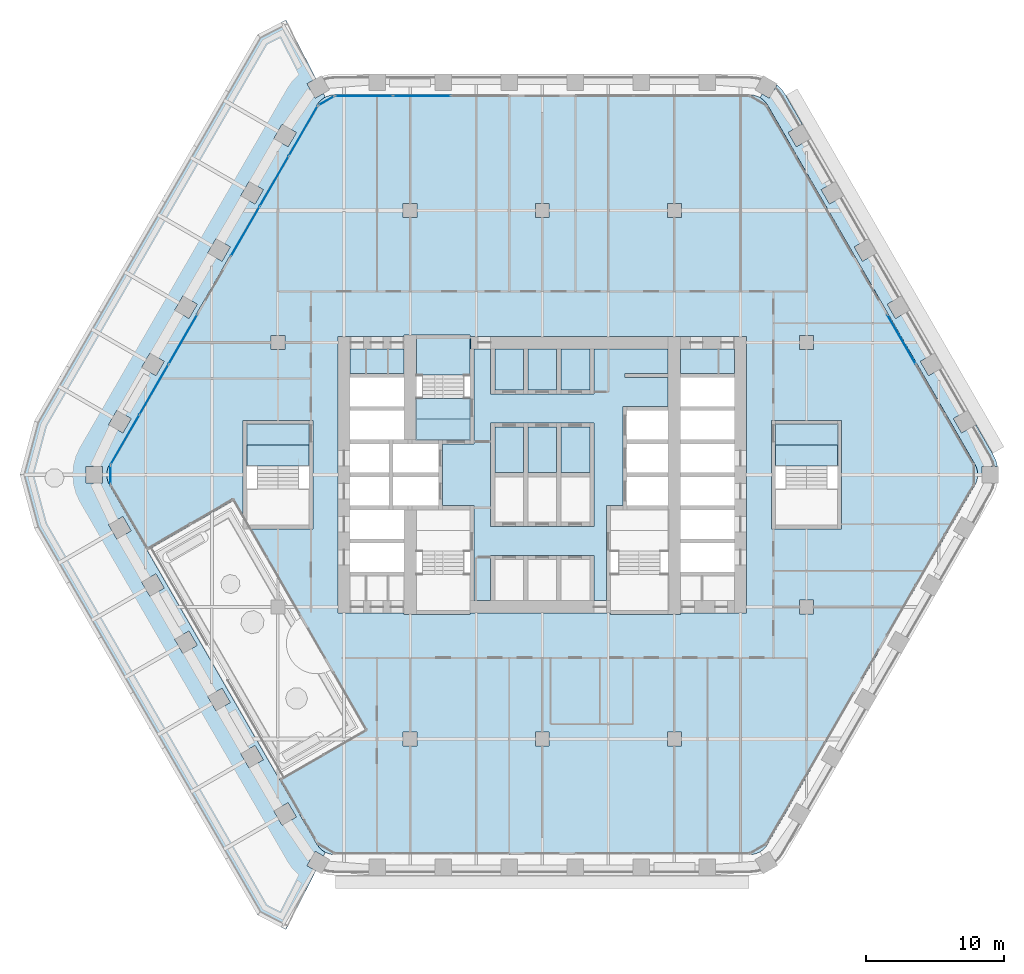
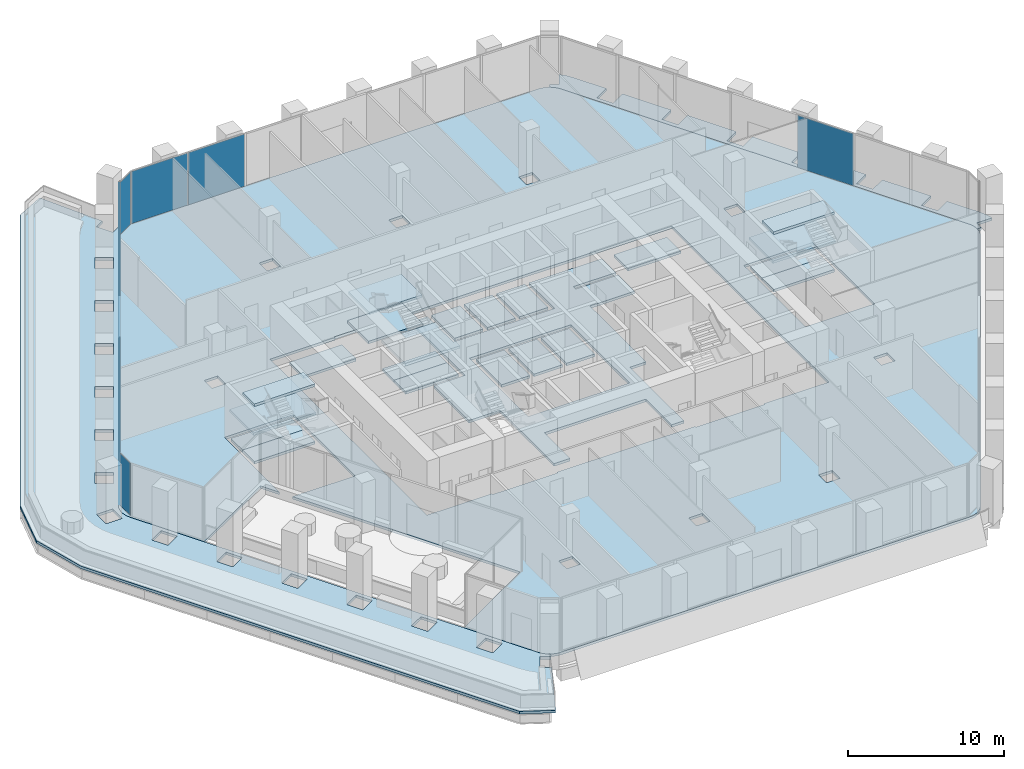
# One storey, part 13 of 27: 25 slabs, 11 plates, 9 elements without a shape of their own.
"""IFC4 building model written with IfcOpenShell, lengths in metres."""

from ifc_helpers import new_model, si_unit, direction, frame, origin, origin_2d, place, context, subcontext, project, spatial, polyline, rectangle, outline, extrude, material, layer, layer_set, type_object, element, aggregate, save


model = new_model("IFC4")

# Units and contexts
model_context = context("Model", 3, precision=1e-05, world=origin(), true_north=direction((0.0, 1.0)))
body_context = subcontext(model_context, "Body", "Model", "MODEL_VIEW")
ifc_project = project(units=[si_unit("LENGTHUNIT", "METRE"), si_unit("AREAUNIT", "SQUARE_METRE"), si_unit("VOLUMEUNIT", "CUBIC_METRE"), si_unit("PLANEANGLEUNIT", "RADIAN"), si_unit("MASSUNIT", "GRAM", prefix="KILO")], contexts=[model_context])

# Site, building, storey
site_placement = place(None, origin())
site = spatial("IfcSite", under=ifc_project, at=site_placement, CompositionType="ELEMENT")
building_placement = place(site_placement, origin())
building = spatial("IfcBuilding", under=site, at=building_placement, Name="Kolab Exchange Tower", CompositionType="ELEMENT")
storey_placement = place(building_placement, frame((0.0, 0.0, 122.89990234375)))
storey = spatial("IfcBuildingStorey", under=building, at=storey_placement, Name="L24", CompositionType="ELEMENT", Elevation=122.89990234375)

# Slabs
ifc_material_1 = material(Name="Concrete C35/45", Category="concrete")
ifc_layer_1 = layer(ifc_material_1, 0.199951171875)
ifc_layer_set_1 = layer_set([ifc_layer_1], Name="Concrete C35/45")
slab_type_1 = type_object("IfcSlabType", Name="FLOOR SLAB 200", PredefinedType="FLOOR", material=ifc_layer_set_1)
slab_1_placement = place(storey_placement, frame((0.0, 0.0, -0.199951171875)))
element("IfcSlab", 1, at=slab_1_placement, inside=storey, type_object=slab_type_1, Name="slab/L24/floor/0", PredefinedType="FLOOR", context=body_context, shape_type="SweptSolid", body=[
    extrude(outline(polyline([(-22.465576171875, -1.885498046875), (-21.75, -3.124755859375), (-21.75, 3.949951171875), (-21.449951171875, 3.949951171875), (-16.949951171875, 3.949951171875), (-16.64990234375, 3.949951171875), (-16.64990234375, -3.949951171875), (-16.949951171875, -3.949951171875), (-21.273681640625, -3.949951171875), (-12.865478515625, -18.51318359375), (-19.10107421875, -22.113037109375), (-16.366943359375, -26.848388671875), (-16.217041015625, -27.062744140625), (-16.0322265625, -27.24755859375), (-15.81787109375, -27.3974609375), (-15.5810546875, -27.508056640625), (-15.328369140625, -27.57568359375), (-15.06787109375, -27.598388671875), (15.06787109375, -27.598388671875), (15.328369140625, -27.57568359375), (15.5810546875, -27.508056640625), (15.81787109375, -27.3974609375), (16.0322265625, -27.24755859375), (16.217041015625, -27.062744140625), (16.366943359375, -26.848388671875), (31.434814453125, -0.75), (31.54541015625, -0.512939453125), (31.613037109375, -0.260498046875), (31.635986328125, 0.0), (31.613037109375, 0.260498046875), (31.54541015625, 0.512939453125), (31.434814453125, 0.75), (16.366943359375, 26.848388671875), (16.217041015625, 27.062744140625), (16.0322265625, 27.24755859375), (15.81787109375, 27.3974609375), (15.5810546875, 27.508056640625), (15.328369140625, 27.57568359375), (15.06787109375, 27.598388671875), (-15.06787109375, 27.598388671875), (-15.328369140625, 27.57568359375), (-15.5810546875, 27.508056640625), (-15.81787109375, 27.3974609375), (-16.0322265625, 27.24755859375), (-16.217041015625, 27.062744140625), (-16.366943359375, 26.848388671875), (-31.434814453125, 0.75), (-31.54541015625, 0.512939453125), (-31.613037109375, 0.260498046875), (-31.635986328125, 0.0), (-31.613037109375, -0.260498046875), (-31.54541015625, -0.512939453125), (-31.434814453125, -0.75), (-28.700927734375, -5.4853515625), (-22.465576171875, -1.885498046875)]), holes=[polyline([(-13.949951171875, -10.050048828125), (-14.85009765625, -10.050048828125), (-14.85009765625, 10.050048828125), (-13.949951171875, 10.050048828125), (-10.050048828125, 10.050048828125), (-10.050048828125, 10.14990234375), (-9.14990234375, 10.14990234375), (-5.25, 10.14990234375), (-5.25, 10.050048828125), (9.14990234375, 10.050048828125), (10.050048828125, 10.050048828125), (13.949951171875, 10.050048828125), (14.85009765625, 10.050048828125), (14.85009765625, -10.050048828125), (13.949951171875, -10.050048828125), (10.050048828125, -10.050048828125), (10.050048828125, -10.14990234375), (9.14990234375, -10.14990234375), (4.949951171875, -10.14990234375), (4.949951171875, -10.050048828125), (-5.25, -10.050048828125), (-5.25, -10.14990234375), (-9.14990234375, -10.14990234375), (-10.050048828125, -10.14990234375), (-10.050048828125, -10.050048828125), (-13.949951171875, -10.050048828125)]), polyline([(-18.699951171875, 10.10009765625), (-18.699951171875, 9.10009765625), (-19.699951171875, 9.10009765625), (-19.699951171875, 10.10009765625), (-18.699951171875, 10.10009765625)]), polyline([(-9.10009765625, -18.699951171875), (-9.10009765625, -19.699951171875), (-10.10009765625, -19.699951171875), (-10.10009765625, -18.699951171875), (-9.10009765625, -18.699951171875)]), polyline([(-9.10009765625, 19.699951171875), (-9.10009765625, 18.699951171875), (-10.10009765625, 18.699951171875), (-10.10009765625, 19.699951171875), (-9.10009765625, 19.699951171875)]), polyline([(9.10009765625, -18.699951171875), (10.10009765625, -18.699951171875), (10.10009765625, -19.699951171875), (9.10009765625, -19.699951171875), (9.10009765625, -18.699951171875)]), polyline([(-0.5, -18.699951171875), (0.5, -18.699951171875), (0.5, -19.699951171875), (-0.5, -19.699951171875), (-0.5, -18.699951171875)]), polyline([(0.5, 19.699951171875), (0.5, 18.699951171875), (-0.5, 18.699951171875), (-0.5, 19.699951171875), (0.5, 19.699951171875)]), polyline([(10.10009765625, 19.699951171875), (10.10009765625, 18.699951171875), (9.10009765625, 18.699951171875), (9.10009765625, 19.699951171875), (10.10009765625, 19.699951171875)]), polyline([(19.699951171875, -9.10009765625), (19.699951171875, -10.10009765625), (18.699951171875, -10.10009765625), (18.699951171875, -9.10009765625), (19.699951171875, -9.10009765625)]), polyline([(21.449951171875, 3.949951171875), (21.75, 3.949951171875), (21.75, -3.949951171875), (21.449951171875, -3.949951171875), (16.949951171875, -3.949951171875), (16.64990234375, -3.949951171875), (16.64990234375, 3.949951171875), (16.949951171875, 3.949951171875), (21.449951171875, 3.949951171875)]), polyline([(19.699951171875, 10.10009765625), (19.699951171875, 9.10009765625), (18.699951171875, 9.10009765625), (18.699951171875, 10.10009765625), (19.699951171875, 10.10009765625)])]), origin(), (0.0, 0.0, 1.0), 0.199951171875),
])
slab_2_placement = place(storey_placement, frame((0.0, 0.0, -0.199951171875)))
element("IfcSlab", 2, at=slab_2_placement, inside=storey, type_object=slab_type_1, Name="slab/L24/floor/1", PredefinedType="FLOOR", context=body_context, shape_type="SweptSolid", body=[
    extrude(outline(polyline([(-4.949951171875, 9.14990234375), (-4.949951171875, 2.25), (-5.25, 2.25), (-7.25, 2.25), (-7.25, -2.25), (-5.25, -2.25), (-4.949951171875, -2.25), (-4.949951171875, -9.14990234375), (-3.75, -9.14990234375), (-3.75, -5.85009765625), (-3.449951171875, -5.85009765625), (-1.35009765625, -5.85009765625), (-1.050048828125, -5.85009765625), (1.050048828125, -5.85009765625), (1.35009765625, -5.85009765625), (3.449951171875, -5.85009765625), (3.75, -5.85009765625), (3.75, -9.14990234375), (4.64990234375, -9.14990234375), (4.64990234375, -2.25), (4.949951171875, -2.25), (5.85009765625, -2.25), (5.85009765625, 4.949951171875), (6.14990234375, 4.949951171875), (9.14990234375, 4.949951171875), (9.14990234375, 7.050048828125), (6.0, 7.050048828125), (6.0, 7.35009765625), (9.14990234375, 7.35009765625), (9.14990234375, 9.14990234375), (3.75, 9.14990234375), (3.75, 5.85009765625), (3.449951171875, 5.85009765625), (1.35009765625, 5.85009765625), (1.050048828125, 5.85009765625), (-1.050048828125, 5.85009765625), (-1.35009765625, 5.85009765625), (-3.449951171875, 5.85009765625), (-3.75, 5.85009765625), (-3.75, 9.14990234375), (-4.949951171875, 9.14990234375)]), holes=[polyline([(-3.75, -3.75), (-3.75, 3.75), (-3.449951171875, 3.75), (-1.35009765625, 3.75), (-1.050048828125, 3.75), (1.050048828125, 3.75), (1.35009765625, 3.75), (3.449951171875, 3.75), (3.75, 3.75), (3.75, -3.75), (3.449951171875, -3.75), (1.35009765625, -3.75), (1.050048828125, -3.75), (-1.050048828125, -3.75), (-1.35009765625, -3.75), (-3.449951171875, -3.75), (-3.75, -3.75)])]), origin(), (0.0, 0.0, 1.0), 0.199951171875),
])
slab_3_placement = place(storey_placement, frame((0.0, 0.0, -0.199951171875)))
element("IfcSlab", 3, at=slab_3_placement, inside=storey, type_object=slab_type_1, Name="slab/L24/floor/3", PredefinedType="FLOOR", context=body_context, shape_type="SweptSolid", body=[
    extrude(outline(polyline([(-10.050048828125, 9.14990234375), (-13.949951171875, 9.14990234375), (-13.949951171875, 7.35009765625), (-10.050048828125, 7.35009765625), (-10.050048828125, 9.14990234375)])), origin(), (0.0, 0.0, 1.0), 0.199951171875),
])
slab_4_placement = place(storey_placement, frame((0.0, 0.0, -0.199951171875)))
element("IfcSlab", 4, at=slab_4_placement, inside=storey, type_object=slab_type_1, Name="slab/L24/floor/5", PredefinedType="FLOOR", context=body_context, shape_type="SweptSolid", body=[
    extrude(outline(polyline([(13.949951171875, 9.14990234375), (10.050048828125, 9.14990234375), (10.050048828125, 7.35009765625), (13.949951171875, 7.35009765625), (13.949951171875, 9.14990234375)])), origin(), (0.0, 0.0, 1.0), 0.199951171875),
])
slab_5_placement = place(storey_placement, frame((0.0, 0.0, -0.199951171875)))
element("IfcSlab", 5, at=slab_5_placement, inside=storey, type_object=slab_type_1, Name="slab/L24/floor/7", PredefinedType="FLOOR", context=body_context, shape_type="SweptSolid", body=[
    extrude(outline(polyline([(-1.35009765625, 0.14990234375), (-1.35009765625, 3.449951171875), (-3.449951171875, 3.449951171875), (-3.449951171875, 0.14990234375), (-1.35009765625, 0.14990234375)])), origin(), (0.0, 0.0, 1.0), 0.199951171875),
])
slab_6_placement = place(storey_placement, frame((0.0, 0.0, -0.199951171875)))
element("IfcSlab", 6, at=slab_6_placement, inside=storey, type_object=slab_type_1, Name="slab/L24/floor/9", PredefinedType="FLOOR", context=body_context, shape_type="SweptSolid", body=[
    extrude(outline(polyline([(-1.050048828125, 3.449951171875), (-1.050048828125, 0.14990234375), (1.050048828125, 0.14990234375), (1.050048828125, 3.449951171875), (-1.050048828125, 3.449951171875)])), origin(), (0.0, 0.0, 1.0), 0.199951171875),
])
slab_7_placement = place(storey_placement, frame((0.0, 0.0, -0.199951171875)))
element("IfcSlab", 7, at=slab_7_placement, inside=storey, type_object=slab_type_1, Name="slab/L24/floor/11", PredefinedType="FLOOR", context=body_context, shape_type="SweptSolid", body=[
    extrude(outline(polyline([(1.35009765625, 0.14990234375), (3.449951171875, 0.14990234375), (3.449951171875, 3.449951171875), (1.35009765625, 3.449951171875), (1.35009765625, 0.14990234375)])), origin(), (0.0, 0.0, 1.0), 0.199951171875),
])
slab_8_placement = place(storey_placement, frame((0.0, 0.0, -0.199951171875)))
element("IfcSlab", 8, at=slab_8_placement, inside=storey, type_object=slab_type_1, Name="slab/L24/floor/12", PredefinedType="FLOOR", context=body_context, shape_type="SweptSolid", body=[
    extrude(outline(polyline([(-21.449951171875, 3.64990234375), (-21.449951171875, 2.14990234375), (-16.949951171875, 2.14990234375), (-16.949951171875, 3.64990234375), (-21.449951171875, 3.64990234375)])), origin(), (0.0, 0.0, 1.0), 0.199951171875),
])
slab_9_placement = place(storey_placement, frame((0.0, 0.0, -0.199951171875)))
element("IfcSlab", 9, at=slab_9_placement, inside=storey, type_object=slab_type_1, Name="slab/L24/floor/13", PredefinedType="FLOOR", context=body_context, shape_type="SweptSolid", body=[
    extrude(outline(polyline([(21.449951171875, 3.64990234375), (16.949951171875, 3.64990234375), (16.949951171875, 2.14990234375), (21.449951171875, 2.14990234375), (21.449951171875, 3.64990234375)])), origin(), (0.0, 0.0, 1.0), 0.199951171875),
])
slab_10_placement = place(storey_placement, frame((0.0, 0.0, -0.199951171875)))
element("IfcSlab", 10, at=slab_10_placement, inside=storey, type_object=slab_type_1, Name="slab/L24/floor/15", PredefinedType="FLOOR", context=body_context, shape_type="SweptSolid", body=[
    extrude(outline(polyline([(-1.35009765625, 6.14990234375), (-1.35009765625, 9.14990234375), (-3.449951171875, 9.14990234375), (-3.449951171875, 6.14990234375), (-1.35009765625, 6.14990234375)])), origin(), (0.0, 0.0, 1.0), 0.199951171875),
])
slab_11_placement = place(storey_placement, frame((0.0, 0.0, -0.199951171875)))
element("IfcSlab", 11, at=slab_11_placement, inside=storey, type_object=slab_type_1, Name="slab/L24/floor/17", PredefinedType="FLOOR", context=body_context, shape_type="SweptSolid", body=[
    extrude(outline(polyline([(-1.050048828125, 9.14990234375), (-1.050048828125, 6.14990234375), (1.050048828125, 6.14990234375), (1.050048828125, 9.14990234375), (-1.050048828125, 9.14990234375)])), origin(), (0.0, 0.0, 1.0), 0.199951171875),
])
slab_12_placement = place(storey_placement, frame((0.0, 0.0, -0.199951171875)))
element("IfcSlab", 12, at=slab_12_placement, inside=storey, type_object=slab_type_1, Name="slab/L24/floor/19", PredefinedType="FLOOR", context=body_context, shape_type="SweptSolid", body=[
    extrude(outline(polyline([(1.35009765625, 6.14990234375), (3.449951171875, 6.14990234375), (3.449951171875, 9.14990234375), (1.35009765625, 9.14990234375), (1.35009765625, 6.14990234375)])), origin(), (0.0, 0.0, 1.0), 0.199951171875),
])
slab_13_placement = place(storey_placement, frame((0.0, 0.0, -0.199951171875)))
element("IfcSlab", 13, at=slab_13_placement, inside=storey, type_object=slab_type_1, Name="slab/L24/floor/22", PredefinedType="FLOOR", context=body_context, shape_type="SweptSolid", body=[
    extrude(outline(polyline([(-5.25, 4.050048828125), (-9.14990234375, 4.050048828125), (-9.14990234375, 2.550048828125), (-7.550048828125, 2.550048828125), (-7.25, 2.550048828125), (-5.25, 2.550048828125), (-5.25, 4.050048828125)])), origin(), (0.0, 0.0, 1.0), 0.199951171875),
])
ifc_layer_2 = layer(ifc_material_1, 0.199951171875)
ifc_layer_set_2 = layer_set([ifc_layer_2], Name="Concrete C35/45")
slab_type_2 = type_object("IfcSlabType", Name="LOGGIA SLAB 200", PredefinedType="FLOOR", material=ifc_layer_set_2)
slab_14_placement = place(storey_placement, frame((0.0, 0.0, -0.199951171875)))
element("IfcSlab", 14, at=slab_14_placement, inside=storey, type_object=slab_type_2, Name="slab/L24/loggia/1-0", PredefinedType="FLOOR", context=body_context, shape_type="SweptSolid", body=[
    extrude(outline(polyline([(31.613037109375, 0.260498046875), (31.635986328125, 0.0), (31.935791015625, 0.0), (31.935791015625, 0.60009765625), (33.069091796875, 0.60009765625), (32.955078125, 1.026123046875), (32.73388671875, 1.5), (31.5, 3.63720703125), (30.460693359375, 3.037353515625), (29.86083984375, 4.076416015625), (30.89990234375, 4.676513671875), (29.10009765625, 7.794189453125), (28.060791015625, 7.1943359375), (27.460693359375, 8.2333984375), (28.5, 8.83349609375), (26.699951171875, 11.951171875), (25.660888671875, 11.35107421875), (25.060791015625, 12.390380859375), (26.10009765625, 12.990478515625), (24.300048828125, 16.108154296875), (23.2607421875, 15.508056640625), (22.660888671875, 16.54736328125), (23.699951171875, 17.147216796875), (21.89990234375, 20.264892578125), (20.86083984375, 19.6650390625), (20.2607421875, 20.704345703125), (21.300048828125, 21.30419921875), (19.5, 24.421875), (18.460693359375, 23.822021484375), (17.86083984375, 24.861083984375), (18.89990234375, 25.461181640625), (17.666015625, 27.598388671875), (17.365966796875, 28.02685546875), (17.05419921875, 28.338623046875), (16.487548828125, 27.357177734375), (15.968017578125, 27.6572265625), (15.81787109375, 27.3974609375), (16.0322265625, 27.24755859375), (16.217041015625, 27.062744140625), (16.366943359375, 26.848388671875), (31.434814453125, 0.75), (31.54541015625, 0.512939453125), (31.613037109375, 0.260498046875)])), origin(), (0.0, 0.0, 1.0), 0.199951171875),
])

# Stair, slabs
ifc_material_2 = material(Name="Concrete C50/60", Category="concrete")
stair_type_1 = type_object("IfcStairType", Name="STAIR ST1 RISER 160.7", PredefinedType="DOUBLE_RETURN_STAIR", material=ifc_material_2)
stair_1_placement = place(storey_placement, origin())
stair_1 = element("IfcStair", 15, at=stair_1_placement, inside=storey, type_object=stair_type_1, Name="Stair 1", PredefinedType="DOUBLE_RETURN_STAIR")
ifc_layer_3 = layer(ifc_material_2, 0.199951171875)
ifc_layer_set_3 = layer_set([ifc_layer_3], Name="Concrete C50/60")
slab_type_3 = type_object("IfcSlabType", Name="STAIR LANDING 200", PredefinedType="LANDING", material=ifc_layer_set_3)
slab_15_placement = place(storey_placement, frame((0.0, 0.0, -0.199951171875)))
slab_15 = element("IfcSlab", 16, at=slab_15_placement, type_object=slab_type_3, Name="ST1 landing 1", PredefinedType="LANDING", context=body_context, shape_type="SweptSolid", body=[
    extrude(outline(polyline([(-9.14990234375, 4.050048828125), (-5.25, 4.050048828125), (-5.25, 5.550048828125), (-9.14990234375, 5.550048828125), (-9.14990234375, 4.050048828125)])), origin(), (0.0, 0.0, 1.0), 0.199951171875),
])
slab_16_placement = place(storey_placement, frame((0.0, 0.0, 0.925048828125)))
slab_16 = element("IfcSlab", 17, at=slab_16_placement, type_object=slab_type_3, Name="ST1 landing 2", PredefinedType="LANDING", context=body_context, shape_type="SweptSolid", body=[
    extrude(outline(polyline([(-9.2099609375, 7.22998046875), (-5.18994140625, 7.22998046875), (-5.18994140625, 9.909912109375), (-9.2099609375, 9.909912109375), (-9.2099609375, 7.22998046875)])), origin(), (0.0, 0.0, 1.0), 0.199951171875),
])
slab_17_placement = place(storey_placement, frame((0.0, 0.0, 2.050048828125)))
slab_17 = element("IfcSlab", 18, at=slab_17_placement, type_object=slab_type_3, Name="ST1 landing 3", PredefinedType="LANDING", context=body_context, shape_type="SweptSolid", body=[
    extrude(outline(polyline([(-9.2099609375, 2.489990234375), (-5.18994140625, 2.489990234375), (-5.18994140625, 5.550048828125), (-9.2099609375, 5.550048828125), (-9.2099609375, 2.489990234375)])), origin(), (0.0, 0.0, 1.0), 0.199951171875),
])
slab_18_placement = place(storey_placement, frame((0.0, 0.0, 3.175048828125)))
slab_18 = element("IfcSlab", 19, at=slab_18_placement, type_object=slab_type_3, Name="ST1 landing 4", PredefinedType="LANDING", context=body_context, shape_type="SweptSolid", body=[
    extrude(outline(polyline([(-9.14990234375, 7.22998046875), (-5.25, 7.22998046875), (-5.25, 9.909912109375), (-9.14990234375, 9.909912109375), (-9.14990234375, 7.22998046875)])), origin(), (0.0, 0.0, 1.0), 0.199951171875),
])
aggregate(stair_1, [slab_15, slab_16, slab_17, slab_18])

stair_type_2 = type_object("IfcStairType", Name="STAIR ST4 RISER 160.7", PredefinedType="DOUBLE_RETURN_STAIR", material=ifc_material_2)
stair_2_placement = place(storey_placement, origin())
stair_2 = element("IfcStair", 20, at=stair_2_placement, inside=storey, type_object=stair_type_2, Name="Stair 4", PredefinedType="DOUBLE_RETURN_STAIR")
slab_19_placement = place(storey_placement, frame((0.0, 0.0, -0.199951171875)))
slab_19 = element("IfcSlab", 21, at=slab_19_placement, type_object=slab_type_3, Name="ST4 landing 1", PredefinedType="LANDING", context=body_context, shape_type="SweptSolid", body=[
    extrude(outline(polyline([(16.949951171875, 0.64990234375), (21.449951171875, 0.64990234375), (21.449951171875, 2.14990234375), (16.949951171875, 2.14990234375), (16.949951171875, 0.64990234375)])), origin(), (0.0, 0.0, 1.0), 0.199951171875),
])
slab_20_placement = place(storey_placement, frame((0.0, 0.0, 2.050048828125)))
slab_20 = element("IfcSlab", 22, at=slab_20_placement, type_object=slab_type_3, Name="ST4 landing 3", PredefinedType="LANDING", context=body_context, shape_type="SweptSolid", body=[
    extrude(outline(polyline([(16.889892578125, 0.64990234375), (21.510009765625, 0.64990234375), (21.510009765625, 3.7099609375), (16.889892578125, 3.7099609375), (16.889892578125, 0.64990234375)])), origin(), (0.0, 0.0, 1.0), 0.199951171875),
])
slab_21_placement = place(storey_placement, frame((0.0, 0.0, 4.300048828125)))
slab_21 = element("IfcSlab", 23, at=slab_21_placement, type_object=slab_type_3, Name="ST4 landing 5", PredefinedType="LANDING", context=body_context, shape_type="SweptSolid", body=[
    extrude(outline(polyline([(16.949951171875, 0.64990234375), (21.449951171875, 0.64990234375), (21.449951171875, 2.14990234375), (16.949951171875, 2.14990234375), (16.949951171875, 0.64990234375)])), origin(), (0.0, 0.0, 1.0), 0.199951171875),
])
aggregate(stair_2, [slab_19, slab_20, slab_21])

stair_type_3 = type_object("IfcStairType", Name="STAIR ST5 RISER 160.7", PredefinedType="DOUBLE_RETURN_STAIR", material=ifc_material_2)
stair_3_placement = place(storey_placement, origin())
stair_3 = element("IfcStair", 24, at=stair_3_placement, inside=storey, type_object=stair_type_3, Name="Stair 5", PredefinedType="DOUBLE_RETURN_STAIR")
slab_22_placement = place(storey_placement, frame((0.0, 0.0, -0.199951171875)))
slab_22 = element("IfcSlab", 25, at=slab_22_placement, type_object=slab_type_3, Name="ST5 landing 1", PredefinedType="LANDING", context=body_context, shape_type="SweptSolid", body=[
    extrude(outline(polyline([(-21.449951171875, 0.64990234375), (-16.949951171875, 0.64990234375), (-16.949951171875, 2.14990234375), (-21.449951171875, 2.14990234375), (-21.449951171875, 0.64990234375)])), origin(), (0.0, 0.0, 1.0), 0.199951171875),
])
slab_23_placement = place(storey_placement, frame((0.0, 0.0, 2.050048828125)))
slab_23 = element("IfcSlab", 26, at=slab_23_placement, type_object=slab_type_3, Name="ST5 landing 3", PredefinedType="LANDING", context=body_context, shape_type="SweptSolid", body=[
    extrude(outline(polyline([(-21.510009765625, 0.64990234375), (-16.889892578125, 0.64990234375), (-16.889892578125, 3.7099609375), (-21.510009765625, 3.7099609375), (-21.510009765625, 0.64990234375)])), origin(), (0.0, 0.0, 1.0), 0.199951171875),
])
slab_24_placement = place(storey_placement, frame((0.0, 0.0, 4.300048828125)))
slab_24 = element("IfcSlab", 27, at=slab_24_placement, type_object=slab_type_3, Name="ST5 landing 5", PredefinedType="LANDING", context=body_context, shape_type="SweptSolid", body=[
    extrude(outline(polyline([(-21.449951171875, 0.64990234375), (-16.949951171875, 0.64990234375), (-16.949951171875, 2.14990234375), (-21.449951171875, 2.14990234375), (-21.449951171875, 0.64990234375)])), origin(), (0.0, 0.0, 1.0), 0.199951171875),
])
aggregate(stair_3, [slab_22, slab_23, slab_24])

# Slab
ifc_layer_4 = layer(ifc_material_1, 0.199951171875)
ifc_layer_set_4 = layer_set([ifc_layer_4], Name="Concrete C35/45")
slab_type_4 = type_object("IfcSlabType", Name="TERRACE SLAB 200 PLANTED", PredefinedType="ROOF", material=ifc_layer_set_4)
slab_25_placement = place(storey_placement, frame((0.0, 0.0, -0.199951171875)))
element("IfcSlab", 28, at=slab_25_placement, inside=storey, type_object=slab_type_4, Name="Roof terrace", PredefinedType="ROOF", context=body_context, shape_type="SweptSolid", body=[
    extrude(outline(polyline([(-37.935791015625, 0.0), (-36.890869140625, -3.89990234375), (-36.890869140625, -3.900146484375), (-20.681396484375, -31.975830078125), (-20.68115234375, -31.975830078125), (-18.621337890625, -33.031494140625), (-16.43798828125, -28.771484375), (-17.087646484375, -28.396484375), (-16.487548828125, -27.357177734375), (-15.889892578125, -27.702392578125), (-15.75, -27.42919921875), (-15.81787109375, -27.3974609375), (-15.818115234375, -27.3974609375), (-16.031982421875, -27.24755859375), (-16.0322265625, -27.24755859375), (-16.0322265625, -27.247314453125), (-16.216796875, -27.062744140625), (-16.217041015625, -27.062744140625), (-16.217041015625, -27.0625), (-16.366943359375, -26.8486328125), (-16.366943359375, -26.848388671875), (-31.434814453125, -0.75), (-31.43505859375, -0.75), (-31.54541015625, -0.51318359375), (-31.54541015625, -0.512939453125), (-31.613037109375, -0.2607421875), (-31.613037109375, -0.260498046875), (-31.613037109375, -0.26025390625), (-31.635986328125, -0.000244140625), (-31.635986328125, 0.0), (-31.635986328125, 0.000244140625), (-31.613037109375, 0.26025390625), (-31.613037109375, 0.260498046875), (-31.613037109375, 0.2607421875), (-31.54541015625, 0.512939453125), (-31.54541015625, 0.51318359375), (-31.43505859375, 0.75), (-31.434814453125, 0.75), (-16.366943359375, 26.848388671875), (-16.366943359375, 26.8486328125), (-16.217041015625, 27.0625), (-16.217041015625, 27.062744140625), (-16.216796875, 27.062744140625), (-16.0322265625, 27.247314453125), (-16.0322265625, 27.24755859375), (-16.031982421875, 27.24755859375), (-15.818115234375, 27.3974609375), (-15.81787109375, 27.3974609375), (-15.75, 27.42919921875), (-15.889892578125, 27.702392578125), (-16.487548828125, 27.357177734375), (-17.087646484375, 28.396484375), (-16.43798828125, 28.771484375), (-18.621337890625, 33.031494140625), (-20.68115234375, 31.975830078125), (-20.681396484375, 31.975830078125), (-36.890869140625, 3.900146484375), (-36.890869140625, 3.89990234375), (-37.935791015625, 0.0)]), holes=[polyline([(-19.5, -24.421875), (-18.460693359375, -23.822021484375), (-17.86083984375, -24.861083984375), (-18.89990234375, -25.461181640625), (-19.5, -24.421875)]), polyline([(-21.89990234375, -20.264892578125), (-20.86083984375, -19.6650390625), (-20.2607421875, -20.704345703125), (-21.300048828125, -21.30419921875), (-21.89990234375, -20.264892578125)]), polyline([(-24.300048828125, -16.108154296875), (-23.2607421875, -15.508056640625), (-22.660888671875, -16.54736328125), (-23.699951171875, -17.147216796875), (-24.300048828125, -16.108154296875)]), polyline([(-26.699951171875, -11.951171875), (-25.660888671875, -11.35107421875), (-25.060791015625, -12.390380859375), (-26.10009765625, -12.990478515625), (-26.699951171875, -11.951171875)]), polyline([(-28.060791015625, -7.1943359375), (-27.460693359375, -8.2333984375), (-28.5, -8.83349609375), (-29.10009765625, -7.794189453125), (-28.060791015625, -7.1943359375)]), polyline([(-30.460693359375, -3.037353515625), (-29.86083984375, -4.076416015625), (-30.89990234375, -4.676513671875), (-31.5, -3.63720703125), (-30.460693359375, -3.037353515625)]), polyline([(-33.135986328125, 0.60009765625), (-31.935791015625, 0.60009765625), (-31.935791015625, -0.60009765625), (-33.135986328125, -0.60009765625), (-33.135986328125, 0.60009765625)]), polyline([(-30.89990234375, 4.676513671875), (-29.86083984375, 4.076416015625), (-30.460693359375, 3.037353515625), (-31.5, 3.63720703125), (-30.89990234375, 4.676513671875)]), polyline([(-29.10009765625, 7.794189453125), (-28.5, 8.83349609375), (-27.460693359375, 8.2333984375), (-28.060791015625, 7.1943359375), (-29.10009765625, 7.794189453125)]), polyline([(-26.699951171875, 11.951171875), (-26.10009765625, 12.990478515625), (-25.060791015625, 12.390380859375), (-25.660888671875, 11.35107421875), (-26.699951171875, 11.951171875)]), polyline([(-24.300048828125, 16.108154296875), (-23.699951171875, 17.147216796875), (-22.660888671875, 16.54736328125), (-23.2607421875, 15.508056640625), (-24.300048828125, 16.108154296875)]), polyline([(-21.89990234375, 20.264892578125), (-21.300048828125, 21.30419921875), (-20.2607421875, 20.704345703125), (-20.86083984375, 19.6650390625), (-21.89990234375, 20.264892578125)]), polyline([(-18.89990234375, 25.461181640625), (-17.86083984375, 24.861083984375), (-18.460693359375, 23.822021484375), (-19.5, 24.421875), (-18.89990234375, 25.461181640625)])]), origin(), (0.0, 0.0, 1.0), 0.199951171875),
])

# Curtain wall, plates
ifc_material_3 = material(Name="Aluminium EN AW-6063 T6", Category="aluminium")
curtain_wall_type = type_object("IfcCurtainWallType", Name="UNITISED LOWER MID ZONE CURTAIN WALL", PredefinedType="NOTDEFINED", material=ifc_material_3)
curtain_wall_1_placement = place(storey_placement, origin())
curtain_wall_1 = element("IfcCurtainWall", 29, at=curtain_wall_1_placement, inside=storey, type_object=curtain_wall_type, Name="cw/L24/F1-1", PredefinedType="NOTDEFINED")
ifc_material_4 = material(Name="Clear insulated glazing unit", Category="glass")
ifc_layer_5 = layer(ifc_material_4, 0.02587890625)
ifc_layer_set_5 = layer_set([ifc_layer_5], Name="Clear insulated glazing unit")
plate_type = type_object("IfcPlateType", Name="UNITISED LOWER MID ZONE GLASS PANEL 26", PredefinedType="CURTAIN_PANEL", material=ifc_layer_set_5)
plate_1_placement = place(storey_placement, frame((-12.941650390625, 27.5185546875, 0.06005859375), z_axis=(0.0, 0.0, 1.0), x_axis=(1.0, 0.0, 0.0)))
plate_1 = element("IfcPlate", 30, at=plate_1_placement, type_object=plate_type, Name="CW2 panel 1.1", PredefinedType="CURTAIN_PANEL", context=body_context, shape_type="SweptSolid", body=[
    extrude(rectangle(XDim=4.132568359375, YDim=0.02587890625, at=origin_2d()), origin(), (0.0, 0.0, 1.0), 4.080078125),
])
plate_2_placement = place(storey_placement, frame((-8.73388671875, 27.5185546875, 0.06005859375), z_axis=(0.0, 0.0, 1.0), x_axis=(1.0, 0.0, 0.0)))
plate_2 = element("IfcPlate", 31, at=plate_2_placement, type_object=plate_type, Name="CW2 panel 2.1", PredefinedType="CURTAIN_PANEL", context=body_context, shape_type="SweptSolid", body=[
    extrude(rectangle(XDim=4.16259765625, YDim=0.02587890625, at=origin_2d()), origin(), (0.0, 0.0, 1.0), 4.080078125),
])
aggregate(curtain_wall_1, [plate_1, plate_2])

# Curtain wall, plate
curtain_wall_2_placement = place(storey_placement, origin())
curtain_wall_2 = element("IfcCurtainWall", 32, at=curtain_wall_2_placement, inside=storey, type_object=curtain_wall_type, Name="cw/L24/F2-2", PredefinedType="NOTDEFINED")
plate_3_placement = place(storey_placement, frame((26.0947265625, 9.83935546875, 0.06005859375), z_axis=(0.0, 0.0, 1.0), x_axis=(0.499999958358, -0.866025427826, 0.0)))
plate_3 = element("IfcPlate", 33, at=plate_3_placement, type_object=plate_type, Name="CW2 panel 1.1", PredefinedType="CURTAIN_PANEL", context=body_context, shape_type="SweptSolid", body=[
    extrude(rectangle(XDim=4.132568359375, YDim=0.02587890625, at=origin_2d()), origin(), (0.0, 0.0, 1.0), 4.080078125),
])
aggregate(curtain_wall_2, [plate_3])

# Curtain wall, plates
curtain_wall_3_placement = place(storey_placement, origin())
curtain_wall_3 = element("IfcCurtainWall", 34, at=curtain_wall_3_placement, inside=storey, type_object=curtain_wall_type, Name="cw/L24/F6-1", PredefinedType="NOTDEFINED")
plate_4_placement = place(storey_placement, frame((-30.302490234375, 2.551513671875, 0.06005859375), z_axis=(0.0, 0.0, 1.0), x_axis=(0.499999958358, 0.866025427826, 0.0)))
plate_4 = element("IfcPlate", 35, at=plate_4_placement, type_object=plate_type, Name="CW2 panel 1.1", PredefinedType="CURTAIN_PANEL", context=body_context, shape_type="SweptSolid", body=[
    extrude(rectangle(XDim=4.132568359375, YDim=0.02587890625, at=origin_2d()), origin(), (0.0, 0.0, 1.0), 4.080078125),
])
plate_5_placement = place(storey_placement, frame((-28.19873046875, 6.1953125, 0.06005859375), z_axis=(0.0, 0.0, 1.0), x_axis=(0.499999958358, 0.866025427826, 0.0)))
plate_5 = element("IfcPlate", 36, at=plate_5_placement, type_object=plate_type, Name="CW2 panel 2.1", PredefinedType="CURTAIN_PANEL", context=body_context, shape_type="SweptSolid", body=[
    extrude(rectangle(XDim=4.16259765625, YDim=0.02587890625, at=origin_2d()), origin(), (0.0, 0.0, 1.0), 4.080078125),
])
plate_6_placement = place(storey_placement, frame((-26.0947265625, 9.83935546875, 0.06005859375), z_axis=(0.0, 0.0, 1.0), x_axis=(0.499999958358, 0.866025427826, 0.0)))
plate_6 = element("IfcPlate", 37, at=plate_6_placement, type_object=plate_type, Name="CW2 panel 3.1", PredefinedType="CURTAIN_PANEL", context=body_context, shape_type="SweptSolid", body=[
    extrude(rectangle(XDim=4.132568359375, YDim=0.02587890625, at=origin_2d()), origin(), (0.0, 0.0, 1.0), 4.080078125),
])
aggregate(curtain_wall_3, [plate_4, plate_5, plate_6])

curtain_wall_4_placement = place(storey_placement, origin())
curtain_wall_4 = element("IfcCurtainWall", 38, at=curtain_wall_4_placement, inside=storey, type_object=curtain_wall_type, Name="cw/L24/F6-2", PredefinedType="NOTDEFINED")
plate_7_placement = place(storey_placement, frame((-21.568603515625, 17.67919921875, 0.06005859375), z_axis=(0.0, 0.0, 1.0), x_axis=(0.500000017564, 0.866025393644, 0.0)))
plate_7 = element("IfcPlate", 39, at=plate_7_placement, type_object=plate_type, Name="CW2 panel 1.1", PredefinedType="CURTAIN_PANEL", context=body_context, shape_type="SweptSolid", body=[
    extrude(rectangle(XDim=4.132568359375, YDim=0.02587890625, at=origin_2d()), origin(), (0.0, 0.0, 1.0), 4.080078125),
])
plate_8_placement = place(storey_placement, frame((-19.464599609375, 21.322998046875, 0.06005859375), z_axis=(0.0, 0.0, 1.0), x_axis=(0.500000017564, 0.866025393644, 0.0)))
plate_8 = element("IfcPlate", 40, at=plate_8_placement, type_object=plate_type, Name="CW2 panel 2.1", PredefinedType="CURTAIN_PANEL", context=body_context, shape_type="SweptSolid", body=[
    extrude(rectangle(XDim=4.16259765625, YDim=0.02587890625, at=origin_2d()), origin(), (0.0, 0.0, 1.0), 4.080078125),
])
plate_9_placement = place(storey_placement, frame((-17.36083984375, 24.967041015625, 0.06005859375), z_axis=(0.0, 0.0, 1.0), x_axis=(0.500000017564, 0.866025393644, 0.0)))
plate_9 = element("IfcPlate", 41, at=plate_9_placement, type_object=plate_type, Name="CW2 panel 3.1", PredefinedType="CURTAIN_PANEL", context=body_context, shape_type="SweptSolid", body=[
    extrude(rectangle(XDim=4.132568359375, YDim=0.02587890625, at=origin_2d()), origin(), (0.0, 0.0, 1.0), 4.080078125),
])
aggregate(curtain_wall_4, [plate_7, plate_8, plate_9])

# Curtain wall, plate
curtain_wall_5_placement = place(storey_placement, origin())
curtain_wall_5 = element("IfcCurtainWall", 42, at=curtain_wall_5_placement, inside=storey, type_object=curtain_wall_type, Name="cw/L24/F5F6-corner", PredefinedType="NOTDEFINED")
plate_10_placement = place(storey_placement, frame((-31.36572265625, 0.0, 0.06005859375), z_axis=(0.0, 0.0, 1.0), x_axis=(0.0, 1.0, 0.0)))
plate_10 = element("IfcPlate", 43, at=plate_10_placement, type_object=plate_type, Name="CW2 panel 1.1", PredefinedType="CURTAIN_PANEL", context=body_context, shape_type="SweptSolid", body=[
    extrude(rectangle(XDim=1.300048828125, YDim=0.02587890625, at=origin_2d()), origin(), (0.0, 0.0, 1.0), 4.080078125),
])
aggregate(curtain_wall_5, [plate_10])

curtain_wall_6_placement = place(storey_placement, origin())
curtain_wall_6 = element("IfcCurtainWall", 44, at=curtain_wall_6_placement, inside=storey, type_object=curtain_wall_type, Name="cw/L24/F6F1-corner", PredefinedType="NOTDEFINED")
plate_11_placement = place(storey_placement, frame((-15.682861328125, 27.16357421875, 0.06005859375), z_axis=(0.0, 0.0, 1.0), x_axis=(0.866025390869, 0.50000002237, 0.0)))
plate_11 = element("IfcPlate", 45, at=plate_11_placement, type_object=plate_type, Name="CW2 panel 1.1", PredefinedType="CURTAIN_PANEL", context=body_context, shape_type="SweptSolid", body=[
    extrude(rectangle(XDim=1.300048828125, YDim=0.02587890625, at=origin_2d()), origin(), (0.0, 0.0, 1.0), 4.080078125),
])
aggregate(curtain_wall_6, [plate_11])

save(model, "model.ifc")
